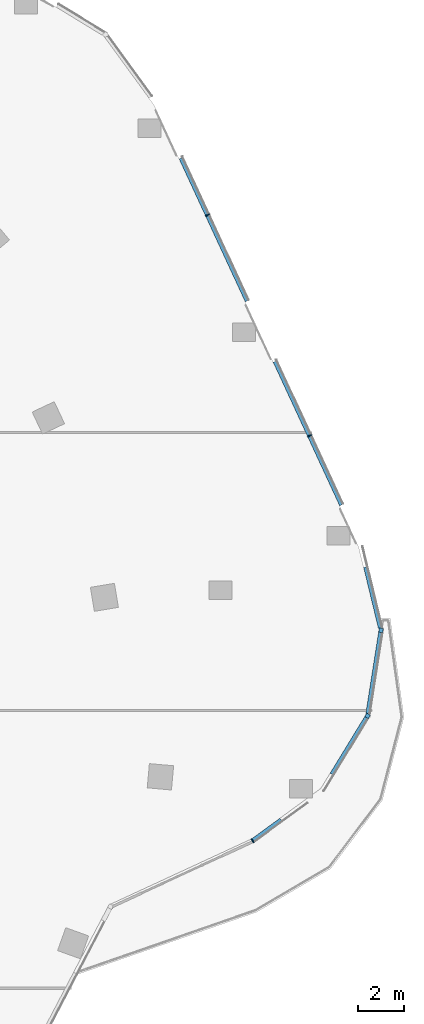
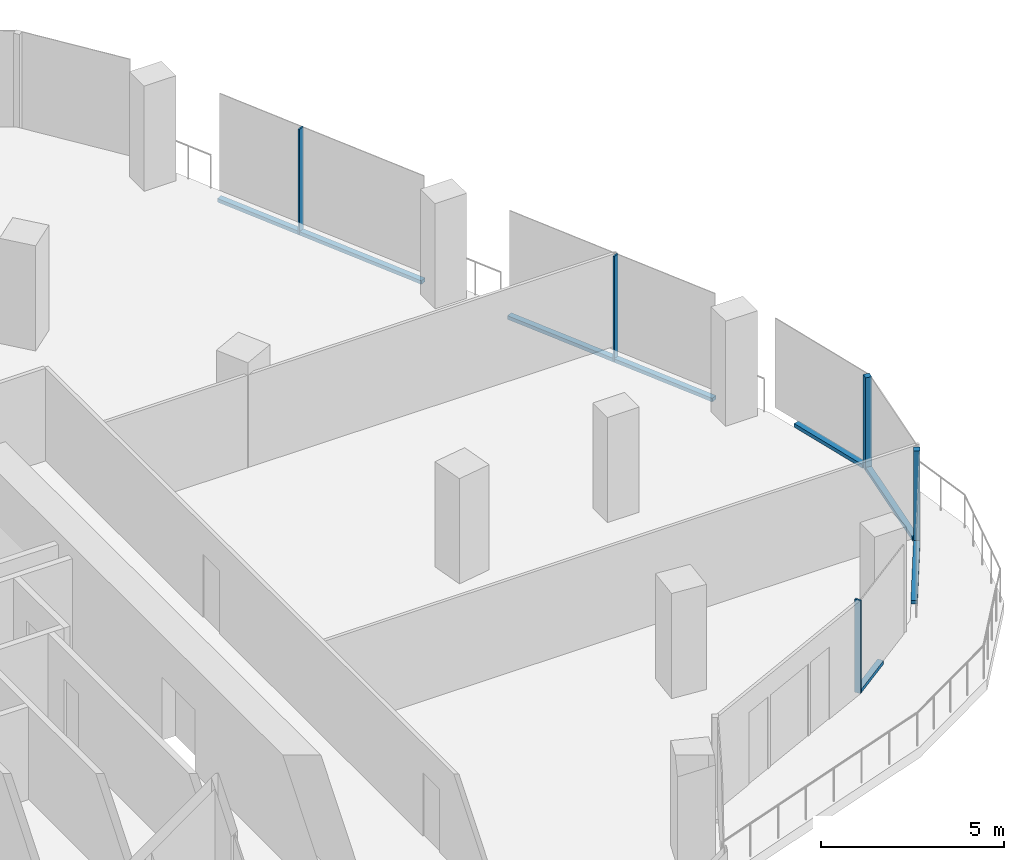
# One storey, part 9 of 26: 11 members, 6 elements without a shape of their own.
"""IFC4 building model written with IfcOpenShell, lengths in metres."""

from ifc_helpers import new_model, si_unit, direction, frame, origin, origin_2d, place, context, subcontext, project, spatial, rectangle, extrude, material, material_profile, profile_set, type_object, element, aggregate, save


model = new_model("IFC4")

# Units and contexts
model_context = context("Model", 3, precision=1e-05, world=origin(), true_north=direction((0.0, 1.0)))
body_context = subcontext(model_context, "Body", "Model", "MODEL_VIEW")
ifc_project = project(units=[si_unit("LENGTHUNIT", "METRE"), si_unit("AREAUNIT", "SQUARE_METRE"), si_unit("VOLUMEUNIT", "CUBIC_METRE"), si_unit("PLANEANGLEUNIT", "RADIAN"), si_unit("MASSUNIT", "GRAM", prefix="KILO")], contexts=[model_context])

# Site, building, storey
site_placement = place(None, origin())
site = spatial("IfcSite", under=ifc_project, at=site_placement, CompositionType="ELEMENT")
building_placement = place(site_placement, origin())
building = spatial("IfcBuilding", under=site, at=building_placement, Name="Orlundy Tower", CompositionType="ELEMENT")
storey_placement = place(building_placement, frame((0.0, 0.0, 253.5)))
storey = spatial("IfcBuildingStorey", under=building, at=storey_placement, Name="L67", CompositionType="ELEMENT", Elevation=253.5)

# Curtain wall, member
ifc_material_1 = material(Name="Aluminium bronze anodised", Category="aluminium")
curtain_wall_type = type_object("IfcCurtainWallType", Name="CW1 wall", PredefinedType="NOTDEFINED", material=ifc_material_1)
curtain_wall_1_placement = place(storey_placement, origin())
curtain_wall_1 = element("IfcCurtainWall", 1, at=curtain_wall_1_placement, inside=storey, type_object=curtain_wall_type, Name="CW1 run 17", PredefinedType="NOTDEFINED")
ifc_material_2 = material(Name="Aluminium bronze anodised", Category="aluminium")
ifc_material_profile_1 = material_profile(ifc_material_2, rectangle(XDim=0.179931640625, YDim=0.179931640625, at=origin_2d()), Name="CW1 corner post 180x180")
ifc_profile_set_1 = profile_set([ifc_material_profile_1], Name="Aluminium bronze anodised")
member_type_1 = type_object("IfcMemberType", Name="CW1 corner post 180x180", PredefinedType="MULLION", material=ifc_profile_set_1)
member_1_placement = place(storey_placement, frame((41.2197265625, 3.460693359375, 0.0), z_axis=(0.0, 0.0, 1.0), x_axis=(0.987896030416, -0.15511748157, 0.0)))
member_1 = element("IfcMember", 2, at=member_1_placement, type_object=member_type_1, Name="CW1 mullion 12", PredefinedType="MULLION", context=body_context, shape_type="SweptSolid", body=[
    extrude(rectangle(XDim=0.179931640625, YDim=0.179931640625, at=origin_2d()), origin(), (0.0, 0.0, 1.0), 3.10009765625),
])

curtain_wall_2_placement = place(storey_placement, origin())
curtain_wall_2 = element("IfcCurtainWall", 3, at=curtain_wall_2_placement, inside=storey, type_object=curtain_wall_type, Name="CW1 run 18", PredefinedType="NOTDEFINED")
member_2_placement = place(storey_placement, frame((40.63916015625, -0.236572265625, 0.0), z_axis=(0.0, 0.0, 1.0), x_axis=(0.85339519248, -0.521264467859, 0.0)))
member_2 = element("IfcMember", 4, at=member_2_placement, type_object=member_type_1, Name="CW1 mullion 13", PredefinedType="MULLION", context=body_context, shape_type="SweptSolid", body=[
    extrude(rectangle(XDim=0.179931640625, YDim=0.179931640625, at=origin_2d()), origin(), (0.0, 0.0, 1.0), 3.10009765625),
])

# Curtain wall, members
curtain_wall_3_placement = place(storey_placement, origin())
curtain_wall_3 = element("IfcCurtainWall", 5, at=curtain_wall_3_placement, inside=storey, type_object=curtain_wall_type, Name="CW1 run 15", PredefinedType="NOTDEFINED")
ifc_material_3 = material(Name="Aluminium bronze anodised", Category="aluminium")
ifc_material_profile_2 = material_profile(ifc_material_3, rectangle(XDim=0.179931640625, YDim=0.050048828125, at=origin_2d()), Name="CW1 mullion 50x180")
ifc_profile_set_2 = profile_set([ifc_material_profile_2], Name="Aluminium bronze anodised")
member_type_2 = type_object("IfcMemberType", Name="CW1 mullion 50x180", PredefinedType="MULLION", material=ifc_profile_set_2)
member_3_placement = place(storey_placement, frame((33.724365234375, 21.391357421875, -0.419921875), z_axis=(0.0, 0.0, 1.0), x_axis=(0.907542202358, 0.419960892154, 0.0)))
member_3 = element("IfcMember", 6, at=member_3_placement, type_object=member_type_2, Name="CW1 mullion 8", PredefinedType="MULLION", context=body_context, shape_type="SweptSolid", body=[
    extrude(rectangle(XDim=0.179931640625, YDim=0.050048828125, at=origin_2d()), origin(), (0.0, 0.0, 1.0), 3.52001953125),
])
member_4_placement = place(storey_placement, frame((38.134033203125, 11.8623046875, -0.419921875), z_axis=(0.0, 0.0, 1.0), x_axis=(0.907542202358, 0.419960892154, 0.0)))
member_4 = element("IfcMember", 7, at=member_4_placement, type_object=member_type_2, Name="CW1 mullion 10", PredefinedType="MULLION", context=body_context, shape_type="SweptSolid", body=[
    extrude(rectangle(XDim=0.179931640625, YDim=0.050048828125, at=origin_2d()), origin(), (0.0, 0.0, 1.0), 3.52001953125),
])

# Curtain wall, member
curtain_wall_4_placement = place(storey_placement, origin())
curtain_wall_4 = element("IfcCurtainWall", 8, at=curtain_wall_4_placement, inside=storey, type_object=curtain_wall_type, Name="CW1 run 110", PredefinedType="NOTDEFINED")
member_5_placement = place(storey_placement, frame((35.671875, -5.62890625, 0.0), z_axis=(0.0, 0.0, 1.0), x_axis=(0.506927615096, -0.861988626986, 0.0)))
member_5 = element("IfcMember", 9, at=member_5_placement, type_object=member_type_2, Name="CW1 mullion 15", PredefinedType="MULLION", context=body_context, shape_type="SweptSolid", body=[
    extrude(rectangle(XDim=0.179931640625, YDim=0.050048828125, at=origin_2d()), origin(), (0.0, 0.0, 1.0), 3.10009765625),
])
aggregate(curtain_wall_4, [member_5])

# Member
ifc_material_4 = material(Name="Aluminium bronze anodised", Category="aluminium")
ifc_material_profile_3 = material_profile(ifc_material_4, rectangle(XDim=0.179931640625, YDim=0.1201171875, at=origin_2d()), Name="CW1 transom 180x120")
ifc_profile_set_3 = profile_set([ifc_material_profile_3], Name="Aluminium bronze anodised")
member_type_3 = type_object("IfcMemberType", Name="CW1 transom 180x120", PredefinedType="USERDEFINED", material=ifc_profile_set_3)
member_6_placement = place(storey_placement, frame((32.58349609375, 23.85693359375, -0.360107421875), z_axis=(0.419943008458, -0.907550477741, 0.0), x_axis=(0.907550477741, 0.419943008458, 0.0)))
member_6 = element("IfcMember", 10, at=member_6_placement, type_object=member_type_3, Name="CW1 transom", ObjectType="TRANSOM", PredefinedType="USERDEFINED", context=body_context, shape_type="SweptSolid", body=[
    extrude(rectangle(XDim=0.179931640625, YDim=0.1201171875, at=origin_2d()), origin(), (0.0, 0.0, 1.0), 6.804931640625),
])

member_7_placement = place(storey_placement, frame((36.647216796875, 15.0751953125, -0.360107421875), z_axis=(0.41996881668, -0.907538535279, 0.0), x_axis=(0.907538535279, 0.41996881668, 0.0)))
member_7 = element("IfcMember", 11, at=member_7_placement, type_object=member_type_3, Name="CW1 transom", ObjectType="TRANSOM", PredefinedType="USERDEFINED", context=body_context, shape_type="SweptSolid", body=[
    extrude(rectangle(XDim=0.179931640625, YDim=0.1201171875, at=origin_2d()), origin(), (0.0, 0.0, 1.0), 6.8330078125),
])

aggregate(curtain_wall_3, [member_3, member_4, member_6, member_7])

# Curtain wall, member
curtain_wall_5_placement = place(storey_placement, origin())
curtain_wall_5 = element("IfcCurtainWall", 12, at=curtain_wall_5_placement, inside=storey, type_object=curtain_wall_type, Name="CW1 run 16", PredefinedType="NOTDEFINED")
member_8_placement = place(storey_placement, frame((40.558837890625, 6.194091796875, 0.06005859375), z_axis=(0.234995096283, -0.971996555921, 0.0), x_axis=(0.971996555921, 0.234995096283, 0.0)))
member_8 = element("IfcMember", 13, at=member_8_placement, type_object=member_type_3, Name="CW1 transom", ObjectType="TRANSOM", PredefinedType="USERDEFINED", context=body_context, shape_type="SweptSolid", body=[
    extrude(rectangle(XDim=0.179931640625, YDim=0.1201171875, at=origin_2d()), origin(), (0.0, 0.0, 1.0), 2.714599609375),
])
aggregate(curtain_wall_5, [member_8])

# Member
member_9_placement = place(storey_placement, frame((41.205810546875, 3.371826171875, 0.06005859375), z_axis=(-0.155126778463, -0.987894570591, 0.0), x_axis=(0.987894570591, -0.155126778463, 0.0)))
member_9 = element("IfcMember", 14, at=member_9_placement, type_object=member_type_3, Name="CW1 transom", ObjectType="TRANSOM", PredefinedType="USERDEFINED", context=body_context, shape_type="SweptSolid", body=[
    extrude(rectangle(XDim=0.179931640625, YDim=0.1201171875, at=origin_2d()), origin(), (0.0, 0.0, 1.0), 3.55517578125),
])

aggregate(curtain_wall_1, [member_1, member_9])

member_10_placement = place(storey_placement, frame((40.59228515625, -0.3134765625, 0.06005859375), z_axis=(-0.52126038606, -0.85339768568, 0.0), x_axis=(0.85339768568, -0.52126038606, 0.0)))
member_10 = element("IfcMember", 15, at=member_10_placement, type_object=member_type_3, Name="CW1 transom", ObjectType="TRANSOM", PredefinedType="USERDEFINED", context=body_context, shape_type="SweptSolid", body=[
    extrude(rectangle(XDim=0.179931640625, YDim=0.1201171875, at=origin_2d()), origin(), (0.0, 0.0, 1.0), 2.864501953125),
])

aggregate(curtain_wall_2, [member_2, member_10])

# Curtain wall, member
curtain_wall_6_placement = place(storey_placement, origin())
curtain_wall_6 = element("IfcCurtainWall", 16, at=curtain_wall_6_placement, inside=storey, type_object=curtain_wall_type, Name="CW1 run 19", PredefinedType="NOTDEFINED")
member_11_placement = place(storey_placement, frame((36.90380859375, -4.73095703125, 0.06005859375), z_axis=(-0.808073732579, -0.589081354921, 0.0), x_axis=(0.589081354921, -0.808073732579, 0.0)))
member_11 = element("IfcMember", 17, at=member_11_placement, type_object=member_type_3, Name="CW1 transom", ObjectType="TRANSOM", PredefinedType="USERDEFINED", context=body_context, shape_type="SweptSolid", body=[
    extrude(rectangle(XDim=0.179931640625, YDim=0.1201171875, at=origin_2d()), origin(), (0.0, 0.0, 1.0), 1.49951171875),
])
aggregate(curtain_wall_6, [member_11])

save(model, "model.ifc")
